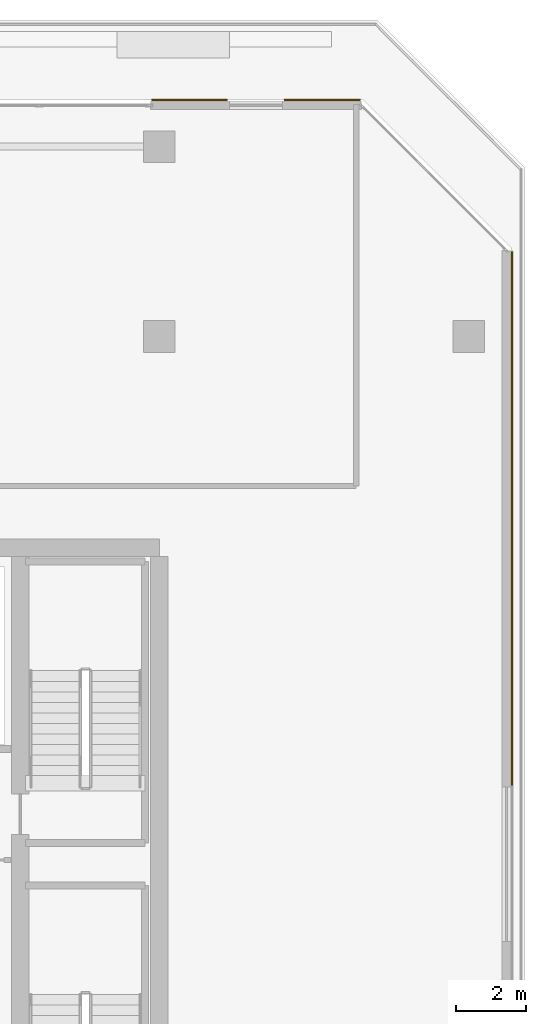
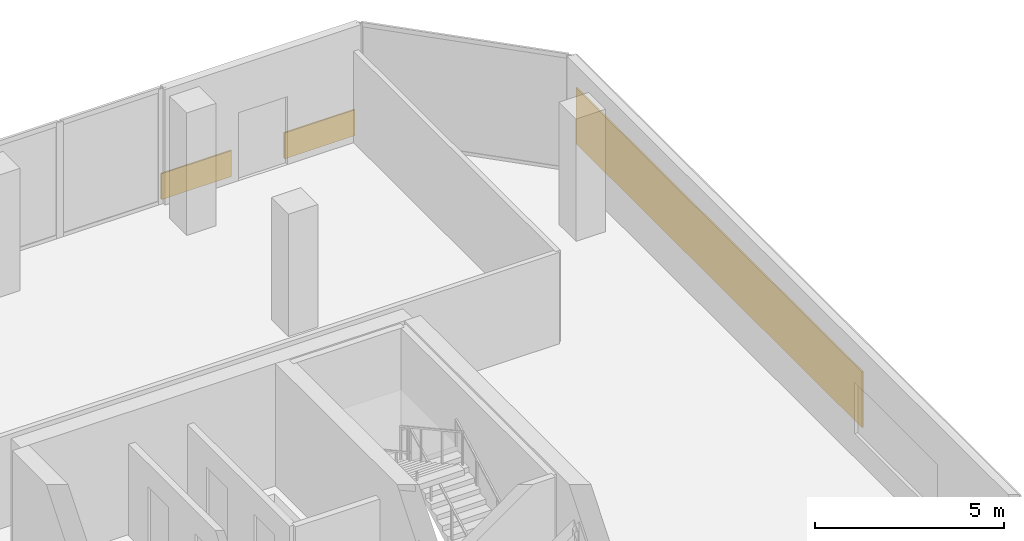
# One storey, part 30 of 30: 3 coverings.
"""IFC4 building model written with IfcOpenShell, lengths in metres."""

from ifc_helpers import new_model, si_unit, direction, frame, origin, origin_2d, place, context, subcontext, project, spatial, rectangle, extrude, material, layer, layer_set, type_object, element, save


model = new_model("IFC4")

# Units and contexts
model_context = context("Model", 3, precision=1e-05, world=origin(), true_north=direction((0.0, 1.0)))
body_context = subcontext(model_context, "Body", "Model", "MODEL_VIEW")
ifc_project = project(units=[si_unit("LENGTHUNIT", "METRE"), si_unit("AREAUNIT", "SQUARE_METRE"), si_unit("VOLUMEUNIT", "CUBIC_METRE"), si_unit("PLANEANGLEUNIT", "RADIAN"), si_unit("MASSUNIT", "GRAM", prefix="KILO")], contexts=[model_context])

# Site, building, storey
site_placement = place(None, origin())
site = spatial("IfcSite", under=ifc_project, at=site_placement, CompositionType="ELEMENT")
building_placement = place(site_placement, origin())
building = spatial("IfcBuilding", under=site, at=building_placement, Name="Tanjung Sevakor Pilgrim Tower", CompositionType="ELEMENT")
storey_placement = place(building_placement, frame((0.0, 0.0, 128.0400390625)))
storey = spatial("IfcBuildingStorey", under=building, at=storey_placement, Name="L35", CompositionType="ELEMENT", Elevation=128.0400390625)

# Coverings
ifc_material = material(Name="Reconstructed Limestone Cladding", Category="masonry")
ifc_layer = layer(ifc_material, 0.044921875)
ifc_layer_set = layer_set([ifc_layer], Name="COV-CLAD-LIMESTONE")
covering_type = type_object("IfcCoveringType", Name="COV-CLAD-LIMESTONE", PredefinedType="CLADDING", material=ifc_layer_set)
covering_placement = place(storey_placement, frame((100.0224609375, 43.42919921875, 0.849853515625), z_axis=(0.0, 0.0, 1.0), x_axis=(0.0, 1.0, 0.0)))
element("IfcCovering", 1, at=covering_placement, inside=storey, type_object=covering_type, Name="L35 Warm Limestone Pier Panel EW-L35-MAIN-7-2", PredefinedType="CLADDING", context=body_context, shape_type="SweptSolid", body=[
    extrude(rectangle(XDim=15.158203125, YDim=0.044921875, at=origin_2d()), origin(), (0.0, 0.0, 1.0), 1.81005859375),
])
for number, where, z_axis, x_axis, name in (
    (2, (94.63330078125, 55.322509765625, 0.009765625), (0.0, 0.0, 1.0), (-1.0, 0.0, 0.0), "L35 Warm Limestone Sill Spandrel EW-SKY-L35-N1-1"),
    (3, (90.86328125, 55.322509765625, 0.009765625), (0.0, 0.0, 1.0), (-1.0, 0.0, 0.0), "L35 Warm Limestone Sill Spandrel EW-SKY-L35-N1-2"),
):
    element("IfcCovering", number, at=place(storey_placement, frame(where, z_axis=z_axis, x_axis=x_axis)), inside=storey, type_object=covering_type, Name=name, PredefinedType="CLADDING", context=body_context, shape_type="SweptSolid", body=[
        extrude(rectangle(XDim=2.14990234375, YDim=0.044921875, at=origin_2d()), origin(), (0.0, 0.0, 1.0), 0.840087890625),
    ])

save(model, "model.ifc")
